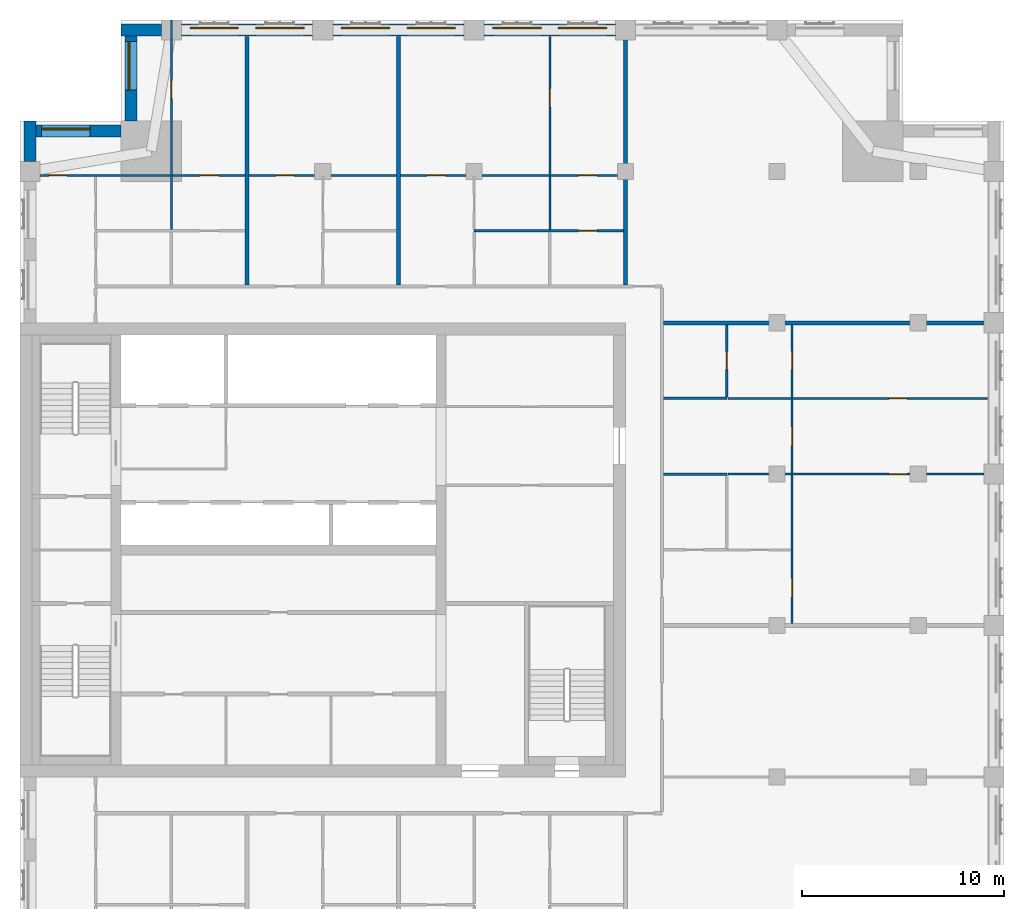
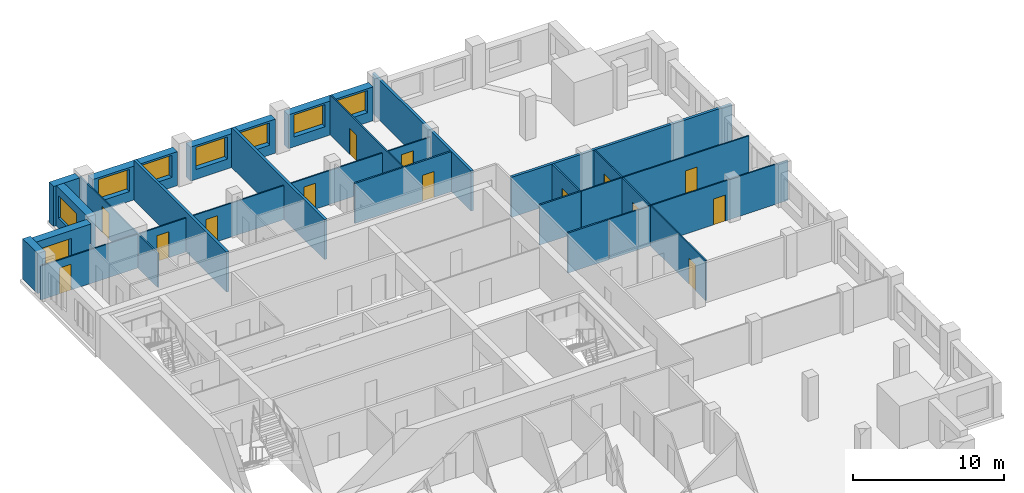
# One storey, part 7 of 10: 21 walls, 14 doors, 8 windows, 22 openings.
"""IFC4 building model written with IfcOpenShell, lengths in metres."""

from ifc_helpers import new_model, si_unit, direction, frame, frame_2d, origin, place, context, subcontext, project, spatial, rectangle, extrude, material, layer, layer_set, type_object, element, fill, save


model = new_model("IFC4")

# Units and contexts
model_context = context("Model", 3, precision=1e-05, world=origin(), true_north=direction((0.0, 1.0)))
body_context = subcontext(model_context, "Body", "Model", "MODEL_VIEW")
ifc_project = project(units=[si_unit("LENGTHUNIT", "METRE"), si_unit("AREAUNIT", "SQUARE_METRE"), si_unit("VOLUMEUNIT", "CUBIC_METRE"), si_unit("PLANEANGLEUNIT", "RADIAN"), si_unit("MASSUNIT", "GRAM", prefix="KILO")], contexts=[model_context])

# Site, building, storey
site_placement = place(None, origin())
site = spatial("IfcSite", under=ifc_project, at=site_placement, CompositionType="ELEMENT")
building_placement = place(site_placement, origin())
building = spatial("IfcBuilding", under=site, at=building_placement, Name="Tamorin Gate", CompositionType="ELEMENT")
storey_placement = place(building_placement, frame((0.0, 0.0, 237.199951171875)))
storey = spatial("IfcBuildingStorey", under=building, at=storey_placement, Name="L59", CompositionType="ELEMENT", Elevation=237.199951171875)

# Wall, openings, windows
ifc_material_1 = material(Name="Precast concrete C40/50", Category="concrete")
ifc_layer_1 = layer(ifc_material_1, 0.60009765625)
ifc_layer_set_1 = layer_set([ifc_layer_1], Name="Precast concrete C40/50")
wall_type_1 = type_object("IfcWallType", Name="Board-marked concrete facade panel 600", PredefinedType="SOLIDWALL", material=ifc_layer_set_1)
wall_1_placement = place(storey_placement, frame((59.5, 97.0, 0.0), z_axis=(0.0, 0.0, 1.0), x_axis=(-1.0, 0.0, 0.0)))
wall_1 = element("IfcWall", 1, at=wall_1_placement, inside=storey, type_object=wall_type_1, Name="Facade panel", PredefinedType="SOLIDWALL", context=body_context, shape_type="SweptSolid", body=[
    extrude(rectangle(XDim=6.5, YDim=0.60009765625, at=frame_2d((3.25, 0.0))), origin(), (0.0, 0.0, 1.0), 2.75),
])
opening_1_placement = place(wall_1_placement, frame((3.675048828125, 0.0, 0.800048828125)))
opening_1 = element("IfcOpeningElement", 2, at=opening_1_placement, cuts=wall_1, Name="Opening WN1", PredefinedType="OPENING", context=body_context, shape_type="SweptSolid", body=[
    extrude(rectangle(XDim=2.39990234375, YDim=1.800048828125, at=frame_2d((1.199951171875, 0.89990234375))), frame((0.0, 0.31005859375, 0.0), z_axis=(0.0, -1.0, 0.0), x_axis=(1.0, 0.0, 0.0)), (0.0, 0.0, 1.0), 0.6201171875),
])
opening_2_placement = place(wall_1_placement, frame((0.425048828125, 0.0, 0.800048828125)))
opening_2 = element("IfcOpeningElement", 3, at=opening_2_placement, cuts=wall_1, Name="Opening WN1", PredefinedType="OPENING", context=body_context, shape_type="SweptSolid", body=[
    extrude(rectangle(XDim=2.39990234375, YDim=1.800048828125, at=frame_2d((1.199951171875, 0.89990234375))), frame((0.0, 0.31005859375, 0.0), z_axis=(0.0, -1.0, 0.0), x_axis=(1.0, 0.0, 0.0)), (0.0, 0.0, 1.0), 0.6201171875),
])
ifc_material_2 = material(Name="Clear glass in aluminium frame", Category="aluminium")
window_type = type_object("IfcWindowType", Name="Deep-set window 2400x1800", PartitioningType="SINGLE_PANEL", PredefinedType="WINDOW", material=ifc_material_2)
window_1_placement = place(opening_1_placement, origin())
window_1 = element("IfcWindow", 4, at=window_1_placement, inside=storey, type_object=window_type, Name="Deep-set window", OverallHeight=1.800048828125, OverallWidth=2.39990234375, PartitioningType="SINGLE_PANEL", PredefinedType="WINDOW", context=body_context, shape_type="SweptSolid", body=[
    extrude(rectangle(XDim=2.39990234375, YDim=1.800048828125, at=frame_2d((1.199951171875, 0.89990234375))), frame((0.0, -0.070068359375, 0.0), z_axis=(0.0, -1.0, 0.0), x_axis=(1.0, 0.0, 0.0)), (0.0, 0.0, 1.0), 0.06005859375),
])
fill(opening_1, window_1)
window_2_placement = place(opening_2_placement, origin())
window_2 = element("IfcWindow", 5, at=window_2_placement, inside=storey, type_object=window_type, Name="Deep-set window", OverallHeight=1.800048828125, OverallWidth=2.39990234375, PartitioningType="SINGLE_PANEL", PredefinedType="WINDOW", context=body_context, shape_type="SweptSolid", body=[
    extrude(rectangle(XDim=2.39990234375, YDim=1.800048828125, at=frame_2d((1.199951171875, 0.89990234375))), frame((0.0, -0.070068359375, 0.0), z_axis=(0.0, -1.0, 0.0), x_axis=(1.0, 0.0, 0.0)), (0.0, 0.0, 1.0), 0.06005859375),
])
fill(opening_2, window_2)

wall_2_placement = place(storey_placement, frame((52.0, 97.0, 0.0), z_axis=(0.0, 0.0, 1.0), x_axis=(-1.0, 0.0, 0.0)))
wall_2 = element("IfcWall", 6, at=wall_2_placement, inside=storey, type_object=wall_type_1, Name="Facade panel", PredefinedType="SOLIDWALL", context=body_context, shape_type="SweptSolid", body=[
    extrude(rectangle(XDim=6.5, YDim=0.60009765625, at=frame_2d((3.25, 0.0))), origin(), (0.0, 0.0, 1.0), 2.75),
])
opening_3_placement = place(wall_2_placement, frame((3.675048828125, 0.0, 0.800048828125)))
opening_3 = element("IfcOpeningElement", 7, at=opening_3_placement, cuts=wall_2, Name="Opening WN1", PredefinedType="OPENING", context=body_context, shape_type="SweptSolid", body=[
    extrude(rectangle(XDim=2.39990234375, YDim=1.800048828125, at=frame_2d((1.199951171875, 0.89990234375))), frame((0.0, 0.31005859375, 0.0), z_axis=(0.0, -1.0, 0.0), x_axis=(1.0, 0.0, 0.0)), (0.0, 0.0, 1.0), 0.6201171875),
])
opening_4_placement = place(wall_2_placement, frame((0.425048828125, 0.0, 0.800048828125)))
opening_4 = element("IfcOpeningElement", 8, at=opening_4_placement, cuts=wall_2, Name="Opening WN1", PredefinedType="OPENING", context=body_context, shape_type="SweptSolid", body=[
    extrude(rectangle(XDim=2.39990234375, YDim=1.800048828125, at=frame_2d((1.199951171875, 0.89990234375))), frame((0.0, 0.31005859375, 0.0), z_axis=(0.0, -1.0, 0.0), x_axis=(1.0, 0.0, 0.0)), (0.0, 0.0, 1.0), 0.6201171875),
])
window_3_placement = place(opening_3_placement, origin())
window_3 = element("IfcWindow", 9, at=window_3_placement, inside=storey, type_object=window_type, Name="Deep-set window", OverallHeight=1.800048828125, OverallWidth=2.39990234375, PartitioningType="SINGLE_PANEL", PredefinedType="WINDOW", context=body_context, shape_type="SweptSolid", body=[
    extrude(rectangle(XDim=2.39990234375, YDim=1.800048828125, at=frame_2d((1.199951171875, 0.89990234375))), frame((0.0, -0.070068359375, 0.0), z_axis=(0.0, -1.0, 0.0), x_axis=(1.0, 0.0, 0.0)), (0.0, 0.0, 1.0), 0.06005859375),
])
fill(opening_3, window_3)
window_4_placement = place(opening_4_placement, origin())
window_4 = element("IfcWindow", 10, at=window_4_placement, inside=storey, type_object=window_type, Name="Deep-set window", OverallHeight=1.800048828125, OverallWidth=2.39990234375, PartitioningType="SINGLE_PANEL", PredefinedType="WINDOW", context=body_context, shape_type="SweptSolid", body=[
    extrude(rectangle(XDim=2.39990234375, YDim=1.800048828125, at=frame_2d((1.199951171875, 0.89990234375))), frame((0.0, -0.070068359375, 0.0), z_axis=(0.0, -1.0, 0.0), x_axis=(1.0, 0.0, 0.0)), (0.0, 0.0, 1.0), 0.06005859375),
])
fill(opening_4, window_4)

wall_3_placement = place(storey_placement, frame((44.5, 97.0, 0.0), z_axis=(0.0, 0.0, 1.0), x_axis=(-1.0, 0.0, 0.0)))
wall_3 = element("IfcWall", 11, at=wall_3_placement, inside=storey, type_object=wall_type_1, Name="Facade panel", PredefinedType="SOLIDWALL", context=body_context, shape_type="SweptSolid", body=[
    extrude(rectangle(XDim=6.5, YDim=0.60009765625, at=frame_2d((3.25, 0.0))), origin(), (0.0, 0.0, 1.0), 2.75),
])
opening_5_placement = place(wall_3_placement, frame((3.675048828125, 0.0, 0.800048828125)))
opening_5 = element("IfcOpeningElement", 12, at=opening_5_placement, cuts=wall_3, Name="Opening WN1", PredefinedType="OPENING", context=body_context, shape_type="SweptSolid", body=[
    extrude(rectangle(XDim=2.39990234375, YDim=1.800048828125, at=frame_2d((1.199951171875, 0.89990234375))), frame((0.0, 0.31005859375, 0.0), z_axis=(0.0, -1.0, 0.0), x_axis=(1.0, 0.0, 0.0)), (0.0, 0.0, 1.0), 0.6201171875),
])
opening_6_placement = place(wall_3_placement, frame((0.425048828125, 0.0, 0.800048828125)))
opening_6 = element("IfcOpeningElement", 13, at=opening_6_placement, cuts=wall_3, Name="Opening WN1", PredefinedType="OPENING", context=body_context, shape_type="SweptSolid", body=[
    extrude(rectangle(XDim=2.39990234375, YDim=1.800048828125, at=frame_2d((1.199951171875, 0.89990234375))), frame((0.0, 0.31005859375, 0.0), z_axis=(0.0, -1.0, 0.0), x_axis=(1.0, 0.0, 0.0)), (0.0, 0.0, 1.0), 0.6201171875),
])
window_5_placement = place(opening_5_placement, origin())
window_5 = element("IfcWindow", 14, at=window_5_placement, inside=storey, type_object=window_type, Name="Deep-set window", OverallHeight=1.800048828125, OverallWidth=2.39990234375, PartitioningType="SINGLE_PANEL", PredefinedType="WINDOW", context=body_context, shape_type="SweptSolid", body=[
    extrude(rectangle(XDim=2.39990234375, YDim=1.800048828125, at=frame_2d((1.199951171875, 0.89990234375))), frame((0.0, -0.070068359375, 0.0), z_axis=(0.0, -1.0, 0.0), x_axis=(1.0, 0.0, 0.0)), (0.0, 0.0, 1.0), 0.06005859375),
])
fill(opening_5, window_5)
window_6_placement = place(opening_6_placement, origin())
window_6 = element("IfcWindow", 15, at=window_6_placement, inside=storey, type_object=window_type, Name="Deep-set window", OverallHeight=1.800048828125, OverallWidth=2.39990234375, PartitioningType="SINGLE_PANEL", PredefinedType="WINDOW", context=body_context, shape_type="SweptSolid", body=[
    extrude(rectangle(XDim=2.39990234375, YDim=1.800048828125, at=frame_2d((1.199951171875, 0.89990234375))), frame((0.0, -0.070068359375, 0.0), z_axis=(0.0, -1.0, 0.0), x_axis=(1.0, 0.0, 0.0)), (0.0, 0.0, 1.0), 0.06005859375),
])
fill(opening_6, window_6)

# Wall
wall_4_placement = place(storey_placement, frame((37.0, 97.0, 0.0), z_axis=(0.0, 0.0, 1.0), x_axis=(-1.0, 0.0, 0.0)))
element("IfcWall", 16, at=wall_4_placement, inside=storey, type_object=wall_type_1, Name="Facade panel", PredefinedType="SOLIDWALL", context=body_context, shape_type="SweptSolid", body=[
    extrude(rectangle(XDim=2.0, YDim=0.60009765625, at=frame_2d((1.0, 0.0))), origin(), (0.0, 0.0, 1.0), 3.25),
])

# Wall, opening, window
wall_5_placement = place(storey_placement, frame((35.5, 96.699951171875, 0.0), z_axis=(0.0, 0.0, 1.0), x_axis=(0.0, -1.0, 0.0)))
wall_5 = element("IfcWall", 17, at=wall_5_placement, inside=storey, type_object=wall_type_1, Name="Facade panel", PredefinedType="SOLIDWALL", context=body_context, shape_type="SweptSolid", body=[
    extrude(rectangle(XDim=4.199951171875, YDim=0.60009765625, at=frame_2d((2.10009765625, 0.0))), origin(), (0.0, 0.0, 1.0), 3.25),
])
opening_7_placement = place(wall_5_placement, frame((0.27490234375, 0.0, 0.800048828125)))
opening_7 = element("IfcOpeningElement", 18, at=opening_7_placement, cuts=wall_5, Name="Opening WN1", PredefinedType="OPENING", context=body_context, shape_type="SweptSolid", body=[
    extrude(rectangle(XDim=2.39990234375, YDim=1.800048828125, at=frame_2d((1.199951171875, 0.89990234375))), frame((0.0, 0.31005859375, 0.0), z_axis=(0.0, -1.0, 0.0), x_axis=(1.0, 0.0, 0.0)), (0.0, 0.0, 1.0), 0.6201171875),
])
window_7_placement = place(opening_7_placement, origin())
window_7 = element("IfcWindow", 19, at=window_7_placement, inside=storey, type_object=window_type, Name="Deep-set window", OverallHeight=1.800048828125, OverallWidth=2.39990234375, PartitioningType="SINGLE_PANEL", PredefinedType="WINDOW", context=body_context, shape_type="SweptSolid", body=[
    extrude(rectangle(XDim=2.39990234375, YDim=1.800048828125, at=frame_2d((1.199951171875, 0.89990234375))), frame((0.0, -0.070068359375, 0.0), z_axis=(0.0, -1.0, 0.0), x_axis=(1.0, 0.0, 0.0)), (0.0, 0.0, 1.0), 0.06005859375),
])
fill(opening_7, window_7)

wall_6_placement = place(storey_placement, frame((35.0, 92.0, 0.0), z_axis=(0.0, 0.0, 1.0), x_axis=(-1.0, 0.0, 0.0)))
wall_6 = element("IfcWall", 20, at=wall_6_placement, inside=storey, type_object=wall_type_1, Name="Facade panel", PredefinedType="SOLIDWALL", context=body_context, shape_type="SweptSolid", body=[
    extrude(rectangle(XDim=4.199951171875, YDim=0.60009765625, at=frame_2d((2.10009765625, 0.0))), origin(), (0.0, 0.0, 1.0), 3.25),
])
opening_8_placement = place(wall_6_placement, frame((1.52490234375, 0.0, 0.800048828125)))
opening_8 = element("IfcOpeningElement", 21, at=opening_8_placement, cuts=wall_6, Name="Opening WN1", PredefinedType="OPENING", context=body_context, shape_type="SweptSolid", body=[
    extrude(rectangle(XDim=2.39990234375, YDim=1.800048828125, at=frame_2d((1.199951171875, 0.89990234375))), frame((0.0, 0.31005859375, 0.0), z_axis=(0.0, -1.0, 0.0), x_axis=(1.0, 0.0, 0.0)), (0.0, 0.0, 1.0), 0.6201171875),
])
window_8_placement = place(opening_8_placement, origin())
window_8 = element("IfcWindow", 22, at=window_8_placement, inside=storey, type_object=window_type, Name="Deep-set window", OverallHeight=1.800048828125, OverallWidth=2.39990234375, PartitioningType="SINGLE_PANEL", PredefinedType="WINDOW", context=body_context, shape_type="SweptSolid", body=[
    extrude(rectangle(XDim=2.39990234375, YDim=1.800048828125, at=frame_2d((1.199951171875, 0.89990234375))), frame((0.0, -0.070068359375, 0.0), z_axis=(0.0, -1.0, 0.0), x_axis=(1.0, 0.0, 0.0)), (0.0, 0.0, 1.0), 0.06005859375),
])
fill(opening_8, window_8)

# Walls
wall_7_placement = place(storey_placement, frame((30.5, 92.5, 0.0), z_axis=(0.0, 0.0, 1.0), x_axis=(0.0, -1.0, 0.0)))
element("IfcWall", 23, at=wall_7_placement, inside=storey, type_object=wall_type_1, Name="Facade panel", PredefinedType="SOLIDWALL", context=body_context, shape_type="SweptSolid", body=[
    extrude(rectangle(XDim=2.0, YDim=0.60009765625, at=frame_2d((1.0, 0.0))), origin(), (0.0, 0.0, 1.0), 3.25),
])
ifc_material_3 = material(Name="Gypsum board partition")
ifc_layer_2 = layer(ifc_material_3, 0.199951171875)
ifc_layer_set_2 = layer_set([ifc_layer_2], Name="Demising wall 200")
wall_type_2 = type_object("IfcWallType", Name="Demising wall 200", PredefinedType="PARTITIONING", material=ifc_layer_set_2)
wall_8_placement = place(storey_placement, frame((61.875, 82.5, 0.0), z_axis=(0.0, 0.0, 1.0), x_axis=(1.0, 0.0, 0.0)))
element("IfcWall", 24, at=wall_8_placement, inside=storey, type_object=wall_type_2, Name="Demising wall 200", PredefinedType="PARTITIONING", context=body_context, shape_type="SweptSolid", body=[
    extrude(rectangle(XDim=16.875, YDim=0.199951171875, at=frame_2d((8.4375, 0.0))), origin(), (0.0, 0.0, 1.0), 3.25),
])
for number, where, z_axis, x_axis, name in (
    (25, (41.25, 84.375, 0.0), (0.0, 0.0, 1.0), (0.0, 1.0, 0.0), "Demising wall 200"),
    (26, (48.75, 84.375, 0.0), (0.0, 0.0, 1.0), (0.0, 1.0, 0.0), "Demising wall 200"),
):
    element("IfcWall", number, at=place(storey_placement, frame(where, z_axis=z_axis, x_axis=x_axis)), inside=storey, type_object=wall_type_2, Name=name, PredefinedType="PARTITIONING", context=body_context, shape_type="SweptSolid", body=[
        extrude(rectangle(XDim=12.31494140625, YDim=0.199951171875, at=frame_2d((6.157470703125, 0.0))), origin(), (0.0, 0.0, 1.0), 3.25),
    ])
wall_9_placement = place(storey_placement, frame((60.0, 84.375, 0.0), z_axis=(0.0, 0.0, 1.0), x_axis=(0.0, 1.0, 0.0)))
element("IfcWall", 27, at=wall_9_placement, inside=storey, type_object=wall_type_2, Name="Demising wall 200", PredefinedType="PARTITIONING", context=body_context, shape_type="SweptSolid", body=[
    extrude(rectangle(XDim=13.125, YDim=0.199951171875, at=frame_2d((6.5625, 0.0))), origin(), (0.0, 0.0, 1.0), 3.25),
])

# Wall, opening, door
ifc_layer_3 = layer(ifc_material_3, 0.10009765625)
ifc_layer_set_3 = layer_set([ifc_layer_3], Name="Room partition 100")
wall_type_3 = type_object("IfcWallType", Name="Room partition 100", PredefinedType="PARTITIONING", material=ifc_layer_set_3)
wall_10_placement = place(storey_placement, frame((65.08740234375, 75.0, 0.0), z_axis=(0.0, 0.0, 1.0), x_axis=(1.0, 0.0, 0.0)))
wall_10 = element("IfcWall", 28, at=wall_10_placement, inside=storey, type_object=wall_type_3, Name="Room partition 100", PredefinedType="PARTITIONING", context=body_context, shape_type="SweptSolid", body=[
    extrude(rectangle(XDim=13.66259765625, YDim=0.10009765625, at=frame_2d((6.831298828125, 0.0))), origin(), (0.0, 0.0, 1.0), 3.25),
])
opening_9_placement = place(wall_10_placement, frame((7.96240234375, 0.0, 0.0)))
opening_9 = element("IfcOpeningElement", 29, at=opening_9_placement, cuts=wall_10, Name="Opening DR5049", PredefinedType="OPENING", context=body_context, shape_type="SweptSolid", body=[
    extrude(rectangle(XDim=0.89990234375, YDim=2.10009765625, at=frame_2d((0.449951171875, 1.050048828125))), frame((0.0, 0.06005859375, 0.0), z_axis=(0.0, -1.0, 0.0), x_axis=(1.0, 0.0, 0.0)), (0.0, 0.0, 1.0), 0.1201171875),
])
ifc_material_4 = material(Name="Timber door leaf", Category="wood")
door_type = type_object("IfcDoorType", Name="Door 900 x 2100", OperationType="NOTDEFINED", PredefinedType="DOOR", material=ifc_material_4)
door_1_placement = place(opening_9_placement, origin())
door_1 = element("IfcDoor", 30, at=door_1_placement, inside=storey, type_object=door_type, Name="Door DR5049", OperationType="SINGLE_SWING_RIGHT", OverallHeight=2.10009765625, OverallWidth=0.89990234375, PredefinedType="DOOR", context=body_context, shape_type="SweptSolid", body=[
    extrude(rectangle(XDim=0.89990234375, YDim=2.10009765625, at=frame_2d((0.449951171875, 1.050048828125))), frame((0.0, 0.02490234375, 0.0), z_axis=(0.0, -1.0, 0.0), x_axis=(1.0, 0.0, 0.0)), (0.0, 0.0, 1.0), 0.050048828125),
])
fill(opening_9, door_1)

wall_11_placement = place(storey_placement, frame((65.08740234375, 78.75, 0.0), z_axis=(0.0, 0.0, 1.0), x_axis=(1.0, 0.0, 0.0)))
wall_11 = element("IfcWall", 31, at=wall_11_placement, inside=storey, type_object=wall_type_3, Name="Room partition 100", PredefinedType="PARTITIONING", context=body_context, shape_type="SweptSolid", body=[
    extrude(rectangle(XDim=12.8525390625, YDim=0.10009765625, at=frame_2d((6.42626953125, 0.0))), origin(), (0.0, 0.0, 1.0), 3.25),
])
opening_10_placement = place(wall_11_placement, frame((7.96240234375, 0.0, 0.0)))
opening_10 = element("IfcOpeningElement", 32, at=opening_10_placement, cuts=wall_11, Name="Opening DR5050", PredefinedType="OPENING", context=body_context, shape_type="SweptSolid", body=[
    extrude(rectangle(XDim=0.89990234375, YDim=2.10009765625, at=frame_2d((0.449951171875, 1.050048828125))), frame((0.0, 0.06005859375, 0.0), z_axis=(0.0, -1.0, 0.0), x_axis=(1.0, 0.0, 0.0)), (0.0, 0.0, 1.0), 0.1201171875),
])
door_2_placement = place(opening_10_placement, origin())
door_2 = element("IfcDoor", 33, at=door_2_placement, inside=storey, type_object=door_type, Name="Door DR5050", OperationType="SINGLE_SWING_RIGHT", OverallHeight=2.10009765625, OverallWidth=0.89990234375, PredefinedType="DOOR", context=body_context, shape_type="SweptSolid", body=[
    extrude(rectangle(XDim=0.89990234375, YDim=2.10009765625, at=frame_2d((0.449951171875, 1.050048828125))), frame((0.0, 0.02490234375, 0.0), z_axis=(0.0, -1.0, 0.0), x_axis=(1.0, 0.0, 0.0)), (0.0, 0.0, 1.0), 0.050048828125),
])
fill(opening_10, door_2)

# Wall, openings, doors
wall_12_placement = place(storey_placement, frame((30.0, 89.800048828125, 0.0), z_axis=(0.0, 0.0, 1.0), x_axis=(1.0, 0.0, 0.0)))
wall_12 = element("IfcWall", 34, at=wall_12_placement, inside=storey, type_object=wall_type_3, Name="Room partition 100", PredefinedType="PARTITIONING", context=body_context, shape_type="SweptSolid", body=[
    extrude(rectangle(XDim=29.89990234375, YDim=0.10009765625, at=frame_2d((14.949951171875, 0.0))), origin(), (0.0, 0.0, 1.0), 2.75),
])
opening_11_placement = place(wall_12_placement, frame((1.425048828125, 0.0, 0.0)))
opening_11 = element("IfcOpeningElement", 35, at=opening_11_placement, cuts=wall_12, Name="Opening DR5023", PredefinedType="OPENING", context=body_context, shape_type="SweptSolid", body=[
    extrude(rectangle(XDim=0.89990234375, YDim=2.10009765625, at=frame_2d((0.449951171875, 1.050048828125))), frame((0.0, 0.06005859375, 0.0), z_axis=(0.0, -1.0, 0.0), x_axis=(1.0, 0.0, 0.0)), (0.0, 0.0, 1.0), 0.1201171875),
])
opening_12_placement = place(wall_12_placement, frame((8.925048828125, 0.0, 0.0)))
opening_12 = element("IfcOpeningElement", 36, at=opening_12_placement, cuts=wall_12, Name="Opening DR5026", PredefinedType="OPENING", context=body_context, shape_type="SweptSolid", body=[
    extrude(rectangle(XDim=0.89990234375, YDim=2.10009765625, at=frame_2d((0.449951171875, 1.050048828125))), frame((0.0, 0.06005859375, 0.0), z_axis=(0.0, -1.0, 0.0), x_axis=(1.0, 0.0, 0.0)), (0.0, 0.0, 1.0), 0.1201171875),
])
opening_13_placement = place(wall_12_placement, frame((12.675048828125, 0.0, 0.0)))
opening_13 = element("IfcOpeningElement", 37, at=opening_13_placement, cuts=wall_12, Name="Opening DR5030", PredefinedType="OPENING", context=body_context, shape_type="SweptSolid", body=[
    extrude(rectangle(XDim=0.89990234375, YDim=2.10009765625, at=frame_2d((0.449951171875, 1.050048828125))), frame((0.0, 0.06005859375, 0.0), z_axis=(0.0, -1.0, 0.0), x_axis=(1.0, 0.0, 0.0)), (0.0, 0.0, 1.0), 0.1201171875),
])
opening_14_placement = place(wall_12_placement, frame((20.175048828125, 0.0, 0.0)))
opening_14 = element("IfcOpeningElement", 38, at=opening_14_placement, cuts=wall_12, Name="Opening DR5034", PredefinedType="OPENING", context=body_context, shape_type="SweptSolid", body=[
    extrude(rectangle(XDim=0.89990234375, YDim=2.10009765625, at=frame_2d((0.449951171875, 1.050048828125))), frame((0.0, 0.06005859375, 0.0), z_axis=(0.0, -1.0, 0.0), x_axis=(1.0, 0.0, 0.0)), (0.0, 0.0, 1.0), 0.1201171875),
])
opening_15_placement = place(wall_12_placement, frame((27.675048828125, 0.0, 0.0)))
opening_15 = element("IfcOpeningElement", 39, at=opening_15_placement, cuts=wall_12, Name="Opening DR5037", PredefinedType="OPENING", context=body_context, shape_type="SweptSolid", body=[
    extrude(rectangle(XDim=0.89990234375, YDim=2.10009765625, at=frame_2d((0.449951171875, 1.050048828125))), frame((0.0, 0.06005859375, 0.0), z_axis=(0.0, -1.0, 0.0), x_axis=(1.0, 0.0, 0.0)), (0.0, 0.0, 1.0), 0.1201171875),
])
door_3_placement = place(opening_11_placement, origin())
door_3 = element("IfcDoor", 40, at=door_3_placement, inside=storey, type_object=door_type, Name="Door DR5023", OperationType="SINGLE_SWING_RIGHT", OverallHeight=2.10009765625, OverallWidth=0.89990234375, PredefinedType="DOOR", context=body_context, shape_type="SweptSolid", body=[
    extrude(rectangle(XDim=0.89990234375, YDim=2.10009765625, at=frame_2d((0.449951171875, 1.050048828125))), frame((0.0, 0.02490234375, 0.0), z_axis=(0.0, -1.0, 0.0), x_axis=(1.0, 0.0, 0.0)), (0.0, 0.0, 1.0), 0.050048828125),
])
fill(opening_11, door_3)
door_4_placement = place(opening_12_placement, origin())
door_4 = element("IfcDoor", 41, at=door_4_placement, inside=storey, type_object=door_type, Name="Door DR5026", OperationType="SINGLE_SWING_RIGHT", OverallHeight=2.10009765625, OverallWidth=0.89990234375, PredefinedType="DOOR", context=body_context, shape_type="SweptSolid", body=[
    extrude(rectangle(XDim=0.89990234375, YDim=2.10009765625, at=frame_2d((0.449951171875, 1.050048828125))), frame((0.0, 0.02490234375, 0.0), z_axis=(0.0, -1.0, 0.0), x_axis=(1.0, 0.0, 0.0)), (0.0, 0.0, 1.0), 0.050048828125),
])
fill(opening_12, door_4)
door_5_placement = place(opening_13_placement, origin())
door_5 = element("IfcDoor", 42, at=door_5_placement, inside=storey, type_object=door_type, Name="Door DR5030", OperationType="SINGLE_SWING_RIGHT", OverallHeight=2.10009765625, OverallWidth=0.89990234375, PredefinedType="DOOR", context=body_context, shape_type="SweptSolid", body=[
    extrude(rectangle(XDim=0.89990234375, YDim=2.10009765625, at=frame_2d((0.449951171875, 1.050048828125))), frame((0.0, 0.02490234375, 0.0), z_axis=(0.0, -1.0, 0.0), x_axis=(1.0, 0.0, 0.0)), (0.0, 0.0, 1.0), 0.050048828125),
])
fill(opening_13, door_5)
door_6_placement = place(opening_14_placement, origin())
door_6 = element("IfcDoor", 43, at=door_6_placement, inside=storey, type_object=door_type, Name="Door DR5034", OperationType="SINGLE_SWING_RIGHT", OverallHeight=2.10009765625, OverallWidth=0.89990234375, PredefinedType="DOOR", context=body_context, shape_type="SweptSolid", body=[
    extrude(rectangle(XDim=0.89990234375, YDim=2.10009765625, at=frame_2d((0.449951171875, 1.050048828125))), frame((0.0, 0.02490234375, 0.0), z_axis=(0.0, -1.0, 0.0), x_axis=(1.0, 0.0, 0.0)), (0.0, 0.0, 1.0), 0.050048828125),
])
fill(opening_14, door_6)
door_7_placement = place(opening_15_placement, origin())
door_7 = element("IfcDoor", 44, at=door_7_placement, inside=storey, type_object=door_type, Name="Door DR5037", OperationType="SINGLE_SWING_RIGHT", OverallHeight=2.10009765625, OverallWidth=0.89990234375, PredefinedType="DOOR", context=body_context, shape_type="SweptSolid", body=[
    extrude(rectangle(XDim=0.89990234375, YDim=2.10009765625, at=frame_2d((0.449951171875, 1.050048828125))), frame((0.0, 0.02490234375, 0.0), z_axis=(0.0, -1.0, 0.0), x_axis=(1.0, 0.0, 0.0)), (0.0, 0.0, 1.0), 0.050048828125),
])
fill(opening_15, door_7)

# Wall, opening, door
wall_13_placement = place(storey_placement, frame((37.5, 87.112548828125, 0.0), z_axis=(0.0, 0.0, 1.0), x_axis=(0.0, 1.0, 0.0)))
wall_13 = element("IfcWall", 45, at=wall_13_placement, inside=storey, type_object=wall_type_3, Name="Room partition 100", PredefinedType="PARTITIONING", context=body_context, shape_type="SweptSolid", body=[
    extrude(rectangle(XDim=10.387451171875, YDim=0.10009765625, at=frame_2d((5.19384765625, 0.0))), origin(), (0.0, 0.0, 1.0), 2.75),
])
opening_16_placement = place(wall_13_placement, frame((6.487548828125, 0.0, 0.0)))
opening_16 = element("IfcOpeningElement", 46, at=opening_16_placement, cuts=wall_13, Name="Opening DR5028", PredefinedType="OPENING", context=body_context, shape_type="SweptSolid", body=[
    extrude(rectangle(XDim=0.89990234375, YDim=2.10009765625, at=frame_2d((0.449951171875, 1.050048828125))), frame((0.0, 0.06005859375, 0.0), z_axis=(0.0, -1.0, 0.0), x_axis=(1.0, 0.0, 0.0)), (0.0, 0.0, 1.0), 0.1201171875),
])
door_8_placement = place(opening_16_placement, origin())
door_8 = element("IfcDoor", 47, at=door_8_placement, inside=storey, type_object=door_type, Name="Door DR5028", OperationType="SINGLE_SWING_RIGHT", OverallHeight=2.10009765625, OverallWidth=0.89990234375, PredefinedType="DOOR", context=body_context, shape_type="SweptSolid", body=[
    extrude(rectangle(XDim=0.89990234375, YDim=2.10009765625, at=frame_2d((0.449951171875, 1.050048828125))), frame((0.0, 0.02490234375, 0.0), z_axis=(0.0, -1.0, 0.0), x_axis=(1.0, 0.0, 0.0)), (0.0, 0.0, 1.0), 0.050048828125),
])
fill(opening_16, door_8)

wall_14_placement = place(storey_placement, frame((56.25, 87.112548828125, 0.0), z_axis=(0.0, 0.0, 1.0), x_axis=(0.0, 1.0, 0.0)))
wall_14 = element("IfcWall", 48, at=wall_14_placement, inside=storey, type_object=wall_type_3, Name="Room partition 100", PredefinedType="PARTITIONING", context=body_context, shape_type="SweptSolid", body=[
    extrude(rectangle(XDim=9.577392578125, YDim=0.10009765625, at=frame_2d((4.78857421875, 0.0))), origin(), (0.0, 0.0, 1.0), 3.25),
])
opening_17_placement = place(wall_14_placement, frame((6.08740234375, 0.0, 0.0)))
opening_17 = element("IfcOpeningElement", 49, at=opening_17_placement, cuts=wall_14, Name="Opening DR5039", PredefinedType="OPENING", context=body_context, shape_type="SweptSolid", body=[
    extrude(rectangle(XDim=0.89990234375, YDim=2.10009765625, at=frame_2d((0.449951171875, 1.050048828125))), frame((0.0, 0.06005859375, 0.0), z_axis=(0.0, -1.0, 0.0), x_axis=(1.0, 0.0, 0.0)), (0.0, 0.0, 1.0), 0.1201171875),
])
door_9_placement = place(opening_17_placement, origin())
door_9 = element("IfcDoor", 50, at=door_9_placement, inside=storey, type_object=door_type, Name="Door DR5039", OperationType="SINGLE_SWING_LEFT", OverallHeight=2.10009765625, OverallWidth=0.89990234375, PredefinedType="DOOR", context=body_context, shape_type="SweptSolid", body=[
    extrude(rectangle(XDim=0.89990234375, YDim=2.10009765625, at=frame_2d((0.449951171875, 1.050048828125))), frame((0.0, 0.02490234375, 0.0), z_axis=(0.0, -1.0, 0.0), x_axis=(1.0, 0.0, 0.0)), (0.0, 0.0, 1.0), 0.050048828125),
])
fill(opening_17, door_9)

# Wall, openings, doors
wall_15_placement = place(storey_placement, frame((68.25, 67.60009765625, 0.0), z_axis=(0.0, 0.0, 1.0), x_axis=(0.0, 1.0, 0.0)))
wall_15 = element("IfcWall", 51, at=wall_15_placement, inside=storey, type_object=wall_type_3, Name="Room partition 100", PredefinedType="PARTITIONING", context=body_context, shape_type="SweptSolid", body=[
    extrude(rectangle(XDim=14.7998046875, YDim=0.10009765625, at=frame_2d((7.39990234375, 0.0))), origin(), (0.0, 0.0, 1.0), 3.25),
])
opening_18_placement = place(wall_15_placement, frame((1.324951171875, 0.0, 0.0)))
opening_18 = element("IfcOpeningElement", 52, at=opening_18_placement, cuts=wall_15, Name="Opening DR5043", PredefinedType="OPENING", context=body_context, shape_type="SweptSolid", body=[
    extrude(rectangle(XDim=0.89990234375, YDim=2.10009765625, at=frame_2d((0.449951171875, 1.050048828125))), frame((0.0, 0.06005859375, 0.0), z_axis=(0.0, -1.0, 0.0), x_axis=(1.0, 0.0, 0.0)), (0.0, 0.0, 1.0), 0.1201171875),
])
opening_19_placement = place(wall_15_placement, frame((8.824951171875, 0.0, 0.0)))
opening_19 = element("IfcOpeningElement", 53, at=opening_19_placement, cuts=wall_15, Name="Opening DR5046", PredefinedType="OPENING", context=body_context, shape_type="SweptSolid", body=[
    extrude(rectangle(XDim=0.89990234375, YDim=2.10009765625, at=frame_2d((0.449951171875, 1.050048828125))), frame((0.0, 0.06005859375, 0.0), z_axis=(0.0, -1.0, 0.0), x_axis=(1.0, 0.0, 0.0)), (0.0, 0.0, 1.0), 0.1201171875),
])
opening_20_placement = place(wall_15_placement, frame((12.574951171875, 0.0, 0.0)))
opening_20 = element("IfcOpeningElement", 54, at=opening_20_placement, cuts=wall_15, Name="Opening DR5047", PredefinedType="OPENING", context=body_context, shape_type="SweptSolid", body=[
    extrude(rectangle(XDim=0.89990234375, YDim=2.10009765625, at=frame_2d((0.449951171875, 1.050048828125))), frame((0.0, 0.06005859375, 0.0), z_axis=(0.0, -1.0, 0.0), x_axis=(1.0, 0.0, 0.0)), (0.0, 0.0, 1.0), 0.1201171875),
])
door_10_placement = place(opening_18_placement, origin())
door_10 = element("IfcDoor", 55, at=door_10_placement, inside=storey, type_object=door_type, Name="Door DR5043", OperationType="SINGLE_SWING_LEFT", OverallHeight=2.10009765625, OverallWidth=0.89990234375, PredefinedType="DOOR", context=body_context, shape_type="SweptSolid", body=[
    extrude(rectangle(XDim=0.89990234375, YDim=2.10009765625, at=frame_2d((0.449951171875, 1.050048828125))), frame((0.0, 0.02490234375, 0.0), z_axis=(0.0, -1.0, 0.0), x_axis=(1.0, 0.0, 0.0)), (0.0, 0.0, 1.0), 0.050048828125),
])
fill(opening_18, door_10)
door_11_placement = place(opening_19_placement, origin())
door_11 = element("IfcDoor", 56, at=door_11_placement, inside=storey, type_object=door_type, Name="Door DR5046", OperationType="SINGLE_SWING_LEFT", OverallHeight=2.10009765625, OverallWidth=0.89990234375, PredefinedType="DOOR", context=body_context, shape_type="SweptSolid", body=[
    extrude(rectangle(XDim=0.89990234375, YDim=2.10009765625, at=frame_2d((0.449951171875, 1.050048828125))), frame((0.0, 0.02490234375, 0.0), z_axis=(0.0, -1.0, 0.0), x_axis=(1.0, 0.0, 0.0)), (0.0, 0.0, 1.0), 0.050048828125),
])
fill(opening_19, door_11)
door_12_placement = place(opening_20_placement, origin())
door_12 = element("IfcDoor", 57, at=door_12_placement, inside=storey, type_object=door_type, Name="Door DR5047", OperationType="SINGLE_SWING_LEFT", OverallHeight=2.10009765625, OverallWidth=0.89990234375, PredefinedType="DOOR", context=body_context, shape_type="SweptSolid", body=[
    extrude(rectangle(XDim=0.89990234375, YDim=2.10009765625, at=frame_2d((0.449951171875, 1.050048828125))), frame((0.0, 0.02490234375, 0.0), z_axis=(0.0, -1.0, 0.0), x_axis=(1.0, 0.0, 0.0)), (0.0, 0.0, 1.0), 0.050048828125),
])
fill(opening_20, door_12)

# Walls
ifc_layer_4 = layer(ifc_material_3, 0.125)
ifc_layer_set_4 = layer_set([ifc_layer_4], Name="Wet wall 125")
wall_type_4 = type_object("IfcWallType", Name="Wet wall 125", PredefinedType="PARTITIONING", material=ifc_layer_set_4)
for number, where, z_axis, x_axis, name in (
    (58, (61.875, 75.0, 0.0), (0.0, 0.0, 1.0), (1.0, 0.0, 0.0), "Wet wall 125"),
    (59, (61.875, 78.75, 0.0), (0.0, 0.0, 1.0), (1.0, 0.0, 0.0), "Wet wall 125"),
):
    element("IfcWall", number, at=place(storey_placement, frame(where, z_axis=z_axis, x_axis=x_axis)), inside=storey, type_object=wall_type_4, Name=name, PredefinedType="PARTITIONING", context=body_context, shape_type="SweptSolid", body=[
        extrude(rectangle(XDim=3.14990234375, YDim=0.125, at=frame_2d((1.574951171875, 0.0))), origin(), (0.0, 0.0, 1.0), 3.25),
    ])

# Wall, opening, door
wall_16_placement = place(storey_placement, frame((52.5, 87.050048828125, 0.0), z_axis=(0.0, 0.0, 1.0), x_axis=(1.0, 0.0, 0.0)))
wall_16 = element("IfcWall", 60, at=wall_16_placement, inside=storey, type_object=wall_type_4, Name="Wet wall 125", PredefinedType="PARTITIONING", context=body_context, shape_type="SweptSolid", body=[
    extrude(rectangle(XDim=7.39990234375, YDim=0.125, at=frame_2d((3.699951171875, 0.0))), origin(), (0.0, 0.0, 1.0), 3.25),
])
opening_21_placement = place(wall_16_placement, frame((5.175048828125, 0.0, 0.0)))
opening_21 = element("IfcOpeningElement", 61, at=opening_21_placement, cuts=wall_16, Name="Opening DR5038", PredefinedType="OPENING", context=body_context, shape_type="SweptSolid", body=[
    extrude(rectangle(XDim=0.89990234375, YDim=2.10009765625, at=frame_2d((0.449951171875, 1.050048828125))), frame((0.0, 0.072509765625, 0.0), z_axis=(0.0, -1.0, 0.0), x_axis=(1.0, 0.0, 0.0)), (0.0, 0.0, 1.0), 0.14501953125),
])
door_13_placement = place(opening_21_placement, origin())
door_13 = element("IfcDoor", 62, at=door_13_placement, inside=storey, type_object=door_type, Name="Door DR5038", OperationType="SINGLE_SWING_RIGHT", OverallHeight=2.10009765625, OverallWidth=0.89990234375, PredefinedType="DOOR", context=body_context, shape_type="SweptSolid", body=[
    extrude(rectangle(XDim=0.89990234375, YDim=2.10009765625, at=frame_2d((0.449951171875, 1.050048828125))), frame((0.0, 0.02490234375, 0.0), z_axis=(0.0, -1.0, 0.0), x_axis=(1.0, 0.0, 0.0)), (0.0, 0.0, 1.0), 0.050048828125),
])
fill(opening_21, door_13)

wall_17_placement = place(storey_placement, frame((65.02490234375, 78.8125, 0.0), z_axis=(0.0, 0.0, 1.0), x_axis=(0.0, 1.0, 0.0)))
wall_17 = element("IfcWall", 63, at=wall_17_placement, inside=storey, type_object=wall_type_4, Name="Wet wall 125", PredefinedType="PARTITIONING", context=body_context, shape_type="SweptSolid", body=[
    extrude(rectangle(XDim=3.58740234375, YDim=0.125, at=frame_2d((1.793701171875, 0.0))), origin(), (0.0, 0.0, 1.0), 3.25),
])
opening_22_placement = place(wall_17_placement, frame((1.362548828125, 0.0, 0.0)))
opening_22 = element("IfcOpeningElement", 64, at=opening_22_placement, cuts=wall_17, Name="Opening DR5048", PredefinedType="OPENING", context=body_context, shape_type="SweptSolid", body=[
    extrude(rectangle(XDim=0.89990234375, YDim=2.10009765625, at=frame_2d((0.449951171875, 1.050048828125))), frame((0.0, 0.072509765625, 0.0), z_axis=(0.0, -1.0, 0.0), x_axis=(1.0, 0.0, 0.0)), (0.0, 0.0, 1.0), 0.14501953125),
])
door_14_placement = place(opening_22_placement, origin())
door_14 = element("IfcDoor", 65, at=door_14_placement, inside=storey, type_object=door_type, Name="Door DR5048", OperationType="SINGLE_SWING_LEFT", OverallHeight=2.10009765625, OverallWidth=0.89990234375, PredefinedType="DOOR", context=body_context, shape_type="SweptSolid", body=[
    extrude(rectangle(XDim=0.89990234375, YDim=2.10009765625, at=frame_2d((0.449951171875, 1.050048828125))), frame((0.0, 0.02490234375, 0.0), z_axis=(0.0, -1.0, 0.0), x_axis=(1.0, 0.0, 0.0)), (0.0, 0.0, 1.0), 0.050048828125),
])
fill(opening_22, door_14)

save(model, "model.ifc")
